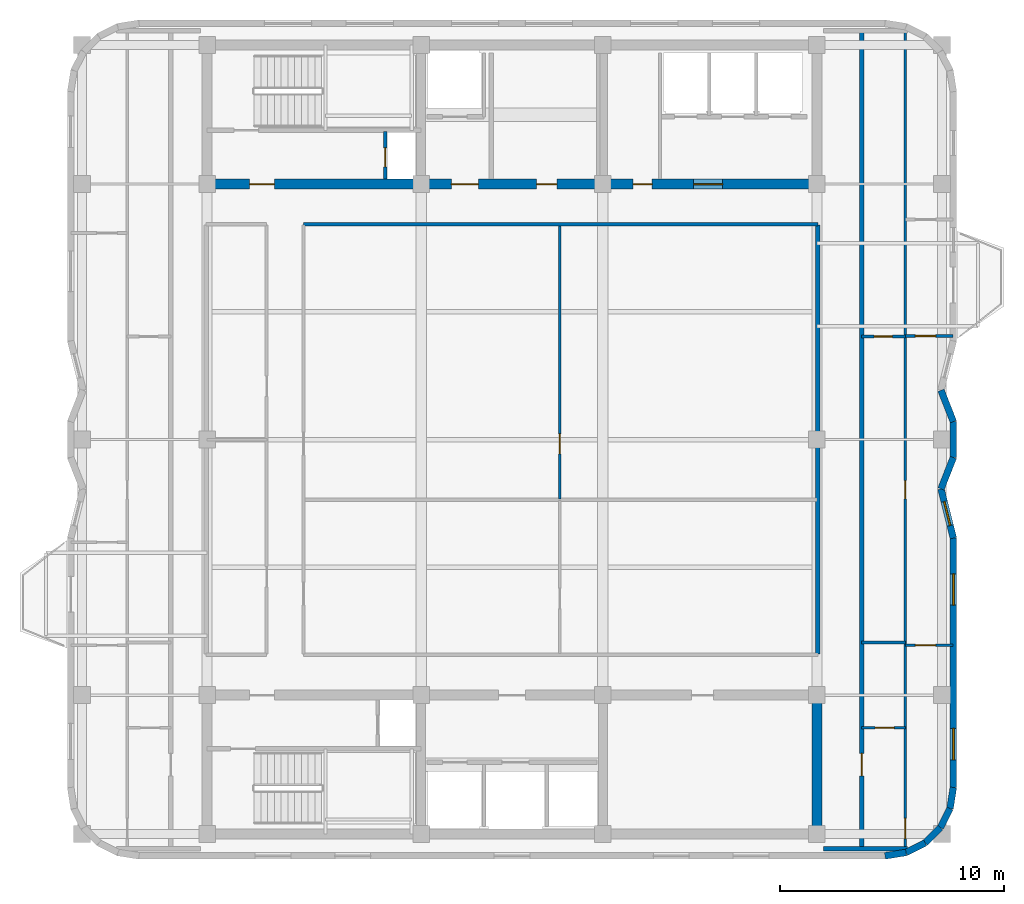
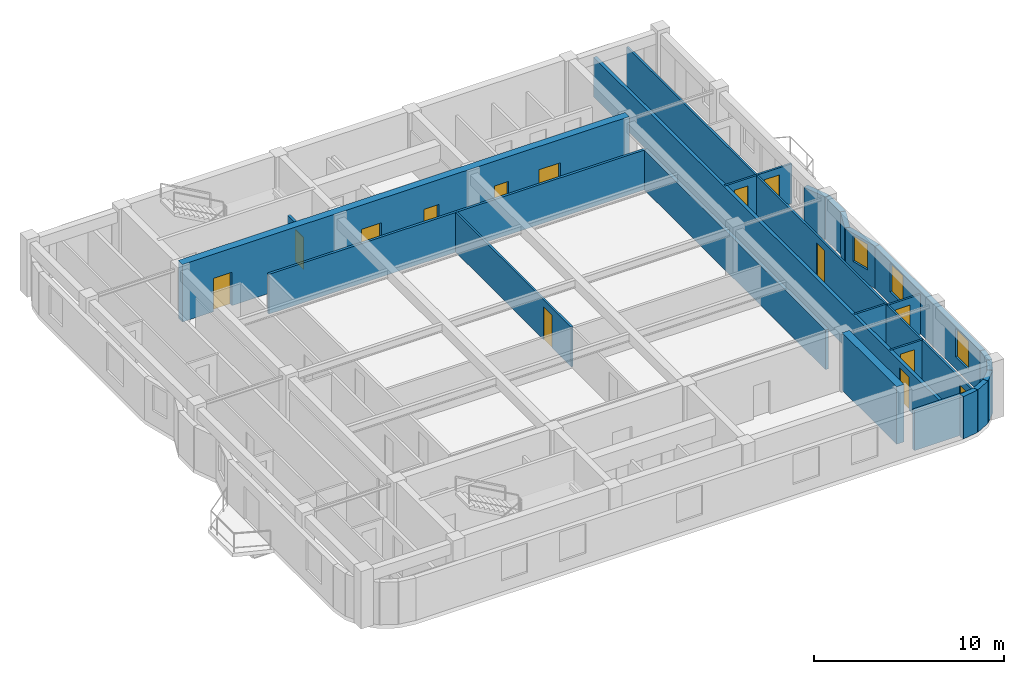
# One storey, part 4 of 8: 24 walls, 14 doors, 3 windows, 17 openings.
"""IFC4 building model written with IfcOpenShell, lengths in metres."""

import ifcopenshell
import ifcopenshell.guid

model = None  # the IFC model being written
_history = None  # IfcOwnerHistory: only IFC2X3 demands one
_inside = {}  # id of a spatial element -> (the spatial element, [elements in it])
_under = {}  # id of a project, library or spatial element -> (it, [spatial elements below it])
_declared = {}  # id of a project -> (the project, [libraries it declares])
_typed = {}  # id of a type object -> (the type object, [elements of that type])
_made_of = {}  # id of a material, layer set ... -> (it, [elements and type objects made of it])


def new_model(schema):
    """Start an empty IFC model of exactly this schema.

    Asked for "IFC4X3", IfcOpenShell would pick the latest addendum, in which some entities
    have other attributes; the version numbers below select the first issue.
    IFC2X3 requires an IfcOwnerHistory on every rooted entity: one is made here for all.
    """
    global model, _history
    if schema == "IFC4X3":
        model = ifcopenshell.file(schema_version=(4, 3, 0, 0))
    else:
        model = ifcopenshell.file(schema=schema)
    _inside.clear()
    _under.clear()
    _declared.clear()
    _typed.clear()
    _made_of.clear()
    _history = None
    if model.schema == "IFC2X3":
        org = make("IfcOrganization", Name="unknown")
        user = make(
            "IfcPersonAndOrganization",
            ThePerson=make("IfcPerson", FamilyName="unknown"),
            TheOrganization=org,
        )
        app = make(
            "IfcApplication",
            ApplicationDeveloper=org,
            Version="unknown",
            ApplicationFullName="unknown",
            ApplicationIdentifier="unknown",
        )
        _history = make(
            "IfcOwnerHistory",
            OwningUser=user,
            OwningApplication=app,
            ChangeAction="ADDED",
            CreationDate=0,
        )
    return model


def make(cls, **values):
    """One entity of the class cls with the attributes given. An attribute that is None is left unset."""
    return model.create_entity(
        cls, **{name: value for name, value in values.items() if value is not None}
    )


def rooted(cls, **values):
    """An entity with a GlobalId (a new one), such as an element, a storey or a relation."""
    return make(cls, GlobalId=ifcopenshell.guid.new(), OwnerHistory=_history, **values)


def si_unit(unit_type, name, prefix=None):
    """IfcSIUnit, for example si_unit("LENGTHUNIT", "METRE", prefix="MILLI")."""
    return make("IfcSIUnit", UnitType=unit_type, Prefix=prefix, Name=name)


def assignment(units):
    """IfcUnitAssignment: the units of a project."""
    return None if units is None else make("IfcUnitAssignment", Units=units)


def point(xyz):
    """IfcCartesianPoint."""
    return None if xyz is None else make("IfcCartesianPoint", Coordinates=xyz)


def direction(xyz):
    """IfcDirection."""
    return None if xyz is None else make("IfcDirection", DirectionRatios=xyz)


def frame(location, z_axis=None, x_axis=None):
    """IfcAxis2Placement3D, a coordinate frame: its origin and axes. An axis left out is left unset."""
    return make(
        "IfcAxis2Placement3D",
        Location=point(location),
        Axis=direction(z_axis),
        RefDirection=direction(x_axis),
    )


def frame_2d(location, x_axis=None):
    """IfcAxis2Placement2D, a coordinate frame in the plane: its origin and x axis."""
    return make(
        "IfcAxis2Placement2D", Location=point(location), RefDirection=direction(x_axis)
    )


def origin():
    """The frame at (0, 0, 0) with its axes left unset."""
    return frame((0.0, 0.0, 0.0))


def place(relative_to, where):
    """IfcLocalPlacement: puts the frame where relative to a parent placement (None: the world)."""
    return make(
        "IfcLocalPlacement", PlacementRelTo=relative_to, RelativePlacement=where
    )


def context(
    kind, dimensions, precision=None, world=None, true_north=None, identifier=None
):
    """IfcGeometricRepresentationContext, for example the 3D "Model" context."""
    return make(
        "IfcGeometricRepresentationContext",
        ContextIdentifier=identifier,
        ContextType=kind,
        CoordinateSpaceDimension=dimensions,
        Precision=precision,
        WorldCoordinateSystem=world,
        TrueNorth=true_north,
    )


def subcontext(parent, identifier, kind, view, scale=None):
    """IfcGeometricRepresentationSubContext, for example "Body" below "Model"."""
    return make(
        "IfcGeometricRepresentationSubContext",
        ContextIdentifier=identifier,
        ContextType=kind,
        ParentContext=parent,
        TargetScale=scale,
        TargetView=view,
    )


def project(units=None, contexts=None):
    """IfcProject with its units and contexts."""
    return rooted(
        "IfcProject",
        Name="project",
        RepresentationContexts=contexts,
        UnitsInContext=assignment(units),
    )


def spatial(cls, under=None, at=None, **own):
    """A site, building, storey or space (cls), placed at a placement, below another one or the project."""
    s = rooted(cls, ObjectPlacement=at, **own)
    if under is not None:
        _under.setdefault(under.id(), (under, []))[1].append(s)
    return s


def profile(cls, at=None, kind="AREA", **sizes):
    """A parametric profile (cls). Its sizes go by their IFC names, for example OverallWidth=200.0."""
    return make(cls, ProfileType=kind, Position=at, **sizes)


def rectangle(**sizes):
    """IfcRectangleProfileDef."""
    return profile("IfcRectangleProfileDef", **sizes)


def extrude(swept, where, along, depth):
    """IfcExtrudedAreaSolid: the profile swept, set in the frame where, extruded along a direction by depth."""
    return make(
        "IfcExtrudedAreaSolid",
        SweptArea=swept,
        Position=where,
        ExtrudedDirection=direction(along),
        Depth=depth,
    )


def shape(context_of_items, identifier, shape_type, items):
    """IfcShapeRepresentation: the items that make up one representation, for example the "Body"."""
    return make(
        "IfcShapeRepresentation",
        ContextOfItems=context_of_items,
        RepresentationIdentifier=identifier,
        RepresentationType=shape_type,
        Items=items,
    )


def material(Name=None, Category=None):
    """IfcMaterial."""
    return make("IfcMaterial", Name=Name, Category=Category)


def layer(
    of_material, thickness, ventilated=None, Name=None, Category=None, Priority=None
):
    """IfcMaterialLayer: one layer of a wall or slab, of a material (None: an air gap)."""
    return make(
        "IfcMaterialLayer",
        Material=of_material,
        LayerThickness=thickness,
        IsVentilated=ventilated,
        Name=Name,
        Category=Category,
        Priority=Priority,
    )


def layer_set(layers, Name=None):
    """IfcMaterialLayerSet."""
    return make("IfcMaterialLayerSet", MaterialLayers=layers, LayerSetName=Name)


def made_of(thing, what):
    """Note that an element or type object is made of a material, layer set ...; save() writes the relation."""
    if what is not None:
        _made_of.setdefault(what.id(), (what, []))[1].append(thing)
    return thing


def type_object(cls, material=None, **own):
    """A type object (cls), such as IfcWallType, which elements share."""
    return made_of(rooted(cls, **own), material)


def element(
    cls,
    number,
    at=None,
    inside=None,
    cuts=None,
    type_object=None,
    material=None,
    context=None,
    identifier="Body",
    shape_type=None,
    held_by="IfcProductDefinitionShape",
    body=None,
    shapes=None,
    **own,
):
    """One element of the class cls, such as IfcWall. Its Tag is "e" and its number.

    at: its placement. inside: the storey or other place that contains it. cuts: it is an
    opening in that element (IfcRelVoidsElement). A single representation is given by context,
    identifier, shape_type and body (its items); several are given by shapes. held_by: the class
    of the entity that holds the representations. save() writes the other relations.
    """
    e = rooted(cls, Tag="e%d" % number, ObjectPlacement=at, **own)
    if body is not None:
        shapes = [shape(context, identifier, shape_type, body)]
    if shapes is not None:
        e.Representation = make(held_by, Representations=shapes)
    if inside is not None:
        _inside.setdefault(inside.id(), (inside, []))[1].append(e)
    if cuts is not None:
        rooted(
            "IfcRelVoidsElement", RelatingBuildingElement=cuts, RelatedOpeningElement=e
        )
    if type_object is not None:
        _typed.setdefault(type_object.id(), (type_object, []))[1].append(e)
    return made_of(e, material)


def fill(opening, filler):
    """IfcRelFillsElement: the door or window that sits in an opening."""
    return rooted(
        "IfcRelFillsElement",
        RelatingOpeningElement=opening,
        RelatedBuildingElement=filler,
    )


def aggregate(whole, parts):
    """IfcRelAggregates: a whole, such as a stair, and the parts it consists of."""
    return rooted("IfcRelAggregates", RelatingObject=whole, RelatedObjects=parts)


def save(model, path):
    """Write the relations noted so far, then the file.

    IfcRelAggregates (storeys below a building ...), IfcRelContainedInSpatialStructure (elements
    in a storey), IfcRelDefinesByType, IfcRelAssociatesMaterial and IfcRelDeclares: one each for
    every whole, place, type object, material and project.
    """
    for whole, parts in _under.values():
        aggregate(whole, parts)
    for where, things in _inside.values():
        rooted(
            "IfcRelContainedInSpatialStructure",
            RelatedElements=things,
            RelatingStructure=where,
        )
    for kind, things in _typed.values():
        rooted("IfcRelDefinesByType", RelatedObjects=things, RelatingType=kind)
    for what, things in _made_of.values():
        rooted("IfcRelAssociatesMaterial", RelatedObjects=things, RelatingMaterial=what)
    for by, libraries in _declared.values():
        rooted("IfcRelDeclares", RelatingContext=by, RelatedDefinitions=libraries)
    model.write(path)


model = new_model("IFC4")

# Units and contexts
model_context = context("Model", 3, precision=1e-05, world=origin(), true_north=direction((0.0, 1.0)))
body_context = subcontext(model_context, "Body", "Model", "MODEL_VIEW")
ifc_project = project(units=[si_unit("LENGTHUNIT", "METRE"), si_unit("AREAUNIT", "SQUARE_METRE"), si_unit("VOLUMEUNIT", "CUBIC_METRE"), si_unit("PLANEANGLEUNIT", "RADIAN"), si_unit("MASSUNIT", "GRAM", prefix="KILO")], contexts=[model_context])

# Site, building, storey
site_placement = place(None, origin())
site = spatial("IfcSite", under=ifc_project, at=site_placement, CompositionType="ELEMENT")
building_placement = place(site_placement, origin())
building = spatial("IfcBuilding", under=site, at=building_placement, Name="Svetorya Sky Lyceum", CompositionType="ELEMENT")
storey_placement = place(building_placement, frame((0.0, 0.0, 263.89990234375)))
storey = spatial("IfcBuildingStorey", under=building, at=storey_placement, Name="L66", CompositionType="ELEMENT", Elevation=263.89990234375)

# Wall
ifc_material_1 = material(Name="Concrete C50/60", Category="concrete")
ifc_layer_1 = layer(ifc_material_1, 0.449951171875)
ifc_layer_set_1 = layer_set([ifc_layer_1], Name="Concrete C50/60")
wall_type_1 = type_object("IfcWallType", Name="WL-CORE-450", PredefinedType="SHEAR", material=ifc_layer_set_1)
wall_1_placement = place(storey_placement, frame((52.800048828125, 10.824951171875, 0.0), z_axis=(0.0, 0.0, 1.0), x_axis=(0.0, 1.0, 0.0)))
element("IfcWall", 1, at=wall_1_placement, inside=storey, type_object=wall_type_1, Name="L66 SC East Core Shear Wall", PredefinedType="SHEAR", context=body_context, shape_type="SweptSolid", body=[
    extrude(rectangle(XDim=5.75, YDim=0.449951171875, at=frame_2d((2.875, 0.0))), origin(), (0.0, 0.0, 1.0), 3.7001953125),
])

# Wall, openings, doors
wall_2_placement = place(storey_placement, frame((52.800048828125, 39.60009765625, 0.0), z_axis=(0.0, 0.0, 1.0), x_axis=(-1.0, 0.0, 0.0)))
wall_2 = element("IfcWall", 2, at=wall_2_placement, inside=storey, type_object=wall_type_1, Name="L66 NC Inner Core Shear Wall", PredefinedType="SHEAR", context=body_context, shape_type="SweptSolid", body=[
    extrude(rectangle(XDim=27.199951171875, YDim=0.449951171875, at=frame_2d((13.60009765625, 0.0))), origin(), (0.0, 0.0, 1.0), 3.7001953125),
])
opening_1_placement = place(wall_2_placement, frame((24.199951171875, 0.0, 0.0)))
opening_1 = element("IfcOpeningElement", 3, at=opening_1_placement, cuts=wall_2, Name="Opening D-ST1", PredefinedType="OPENING", context=body_context, shape_type="SweptSolid", body=[
    extrude(rectangle(XDim=1.10009765625, YDim=2.14990234375, at=frame_2d((0.550048828125, 1.074951171875))), frame((0.0, 0.23486328125, 0.0), z_axis=(0.0, -1.0, 0.0), x_axis=(1.0, 0.0, 0.0)), (0.0, 0.0, 1.0), 0.469970703125),
])
opening_2_placement = place(wall_2_placement, frame((15.10009765625, 0.0, 0.0)))
opening_2 = element("IfcOpeningElement", 4, at=opening_2_placement, cuts=wall_2, Name="Opening D-FL1", PredefinedType="OPENING", context=body_context, shape_type="SweptSolid", body=[
    extrude(rectangle(XDim=1.199951171875, YDim=2.14990234375, at=frame_2d((0.60009765625, 1.074951171875))), frame((0.0, 0.23486328125, 0.0), z_axis=(0.0, -1.0, 0.0), x_axis=(1.0, 0.0, 0.0)), (0.0, 0.0, 1.0), 0.469970703125),
])
opening_3_placement = place(wall_2_placement, frame((11.60009765625, 0.0, 0.0)))
opening_3 = element("IfcOpeningElement", 5, at=opening_3_placement, cuts=wall_2, Name="Opening D-RM1", PredefinedType="OPENING", context=body_context, shape_type="SweptSolid", body=[
    extrude(rectangle(XDim=0.89990234375, YDim=2.10009765625, at=frame_2d((0.449951171875, 1.050048828125))), frame((0.0, 0.23486328125, 0.0), z_axis=(0.0, -1.0, 0.0), x_axis=(1.0, 0.0, 0.0)), (0.0, 0.0, 1.0), 0.469970703125),
])
opening_4_placement = place(wall_2_placement, frame((7.35009765625, 0.0, 0.0)))
opening_4 = element("IfcOpeningElement", 6, at=opening_4_placement, cuts=wall_2, Name="Opening D-CWC1", PredefinedType="OPENING", context=body_context, shape_type="SweptSolid", body=[
    extrude(rectangle(XDim=0.85009765625, YDim=2.10009765625, at=frame_2d((0.425048828125, 1.050048828125))), frame((0.0, 0.23486328125, 0.0), z_axis=(0.0, -1.0, 0.0), x_axis=(1.0, 0.0, 0.0)), (0.0, 0.0, 1.0), 0.469970703125),
])
opening_5_placement = place(wall_2_placement, frame((4.199951171875, 0.0, 0.0)))
opening_5 = element("IfcOpeningElement", 7, at=opening_5_placement, cuts=wall_2, Name="Opening D-LB1", PredefinedType="OPENING", context=body_context, shape_type="SweptSolid", body=[
    extrude(rectangle(XDim=1.300048828125, YDim=2.199951171875, at=frame_2d((0.64990234375, 1.10009765625))), frame((0.0, 0.23486328125, 0.0), z_axis=(0.0, -1.0, 0.0), x_axis=(1.0, 0.0, 0.0)), (0.0, 0.0, 1.0), 0.469970703125),
])
ifc_material_2 = material(Name="Fire-rated galvanized steel core service closet door", Category="steel")
door_type_1 = type_object("IfcDoorType", Name="DR-CWET-850", OperationType="SINGLE_SWING_LEFT", PredefinedType="DOOR", material=ifc_material_2)
door_1_placement = place(opening_4_placement, origin())
door_1 = element("IfcDoor", 8, at=door_1_placement, inside=storey, type_object=door_type_1, Name="L66 High-Zone Utility Room Door", OperationType="SINGLE_SWING_LEFT", OverallHeight=2.10009765625, OverallWidth=0.85009765625, PredefinedType="DOOR", context=body_context, shape_type="SweptSolid", body=[
    extrude(rectangle(XDim=0.85009765625, YDim=2.10009765625, at=frame_2d((0.425048828125, 1.050048828125))), frame((0.0, 0.02490234375, 0.0), z_axis=(0.0, -1.0, 0.0), x_axis=(1.0, 0.0, 0.0)), (0.0, 0.0, 1.0), 0.050048828125),
])
fill(opening_4, door_1)
ifc_material_3 = material(Name="Powder-coated insulated galvanized stair fire door")
door_type_2 = type_object("IfcDoorType", Name="DR-FIRE-1100", OperationType="SINGLE_SWING_LEFT", PredefinedType="DOOR", material=ifc_material_3)
door_2_placement = place(opening_1_placement, origin())
door_2 = element("IfcDoor", 9, at=door_2_placement, inside=storey, type_object=door_type_2, Name="L66 North Stair Airlock Door", OperationType="SINGLE_SWING_LEFT", OverallHeight=2.14990234375, OverallWidth=1.10009765625, PredefinedType="DOOR", context=body_context, shape_type="SweptSolid", body=[
    extrude(rectangle(XDim=1.10009765625, YDim=2.14990234375, at=frame_2d((0.550048828125, 1.074951171875))), frame((0.0, 0.02490234375, 0.0), z_axis=(0.0, -1.0, 0.0), x_axis=(1.0, 0.0, 0.0)), (0.0, 0.0, 1.0), 0.050048828125),
])
fill(opening_1, door_2)
ifc_material_4 = material(Name="Powder-coated insulated galvanized fire door")
door_type_3 = type_object("IfcDoorType", Name="DR-FIRE-1200", OperationType="SINGLE_SWING_LEFT", PredefinedType="DOOR", material=ifc_material_4)
door_3_placement = place(opening_2_placement, origin())
door_3 = element("IfcDoor", 10, at=door_3_placement, inside=storey, type_object=door_type_3, Name="L66 North Firefighting Lift Lobby Door", OperationType="SINGLE_SWING_RIGHT", OverallHeight=2.14990234375, OverallWidth=1.199951171875, PredefinedType="DOOR", context=body_context, shape_type="SweptSolid", body=[
    extrude(rectangle(XDim=1.199951171875, YDim=2.14990234375, at=frame_2d((0.60009765625, 1.074951171875))), frame((0.0, 0.02490234375, 0.0), z_axis=(0.0, -1.0, 0.0), x_axis=(1.0, 0.0, 0.0)), (0.0, 0.0, 1.0), 0.050048828125),
])
fill(opening_2, door_3)
ifc_material_5 = material(Name="Lacquered birch veneer internal door")
door_type_4 = type_object("IfcDoorType", Name="DR-INT-900", OperationType="SINGLE_SWING_LEFT", PredefinedType="DOOR", material=ifc_material_5)
door_4_placement = place(opening_3_placement, origin())
door_4 = element("IfcDoor", 11, at=door_4_placement, inside=storey, type_object=door_type_4, Name="L66 Upper Archive Door", OperationType="SINGLE_SWING_LEFT", OverallHeight=2.10009765625, OverallWidth=0.89990234375, PredefinedType="DOOR", context=body_context, shape_type="SweptSolid", body=[
    extrude(rectangle(XDim=0.89990234375, YDim=2.10009765625, at=frame_2d((0.449951171875, 1.050048828125))), frame((0.0, 0.02490234375, 0.0), z_axis=(0.0, -1.0, 0.0), x_axis=(1.0, 0.0, 0.0)), (0.0, 0.0, 1.0), 0.050048828125),
])
fill(opening_3, door_4)
ifc_material_6 = material(Name="Glazed fire-rated aluminium lobby door", Category="aluminium")
door_type_5 = type_object("IfcDoorType", Name="DR-LOB-1300", OperationType="SINGLE_SWING_LEFT", PredefinedType="DOOR", material=ifc_material_6)
door_5_placement = place(opening_5_placement, origin())
door_5 = element("IfcDoor", 12, at=door_5_placement, inside=storey, type_object=door_type_5, Name="L66 North Passenger Lift Lobby Door", OperationType="SINGLE_SWING_LEFT", OverallHeight=2.199951171875, OverallWidth=1.300048828125, PredefinedType="DOOR", context=body_context, shape_type="SweptSolid", body=[
    extrude(rectangle(XDim=1.300048828125, YDim=2.199951171875, at=frame_2d((0.64990234375, 1.10009765625))), frame((0.0, 0.02490234375, 0.0), z_axis=(0.0, -1.0, 0.0), x_axis=(1.0, 0.0, 0.0)), (0.0, 0.0, 1.0), 0.050048828125),
])
fill(opening_5, door_5)

# Walls
ifc_material_7 = material(Name="Putilovo limestone rainscreen on autoclaved cellular masonry", Category="masonry")
ifc_layer_2 = layer(ifc_material_7, 0.300048828125)
ifc_layer_set_2 = layer_set([ifc_layer_2], Name="Putilovo limestone rainscreen on autoclaved cellular masonry")
wall_type_2 = type_object("IfcWallType", Name="WL-EXT-300", PredefinedType="SOLIDWALL", material=ifc_layer_set_2)
wall_3_placement = place(storey_placement, frame((55.840087890625, 9.6298828125, 0.0), z_axis=(0.0, 0.0, 1.0), x_axis=(0.987663181641, 0.156593229835, 0.0)))
element("IfcWall", 13, at=wall_3_placement, inside=storey, type_object=wall_type_2, Name="L66 Limestone Exterior Wall 7M", PredefinedType="SOLIDWALL", context=body_context, shape_type="SweptSolid", body=[
    extrude(rectangle(XDim=0.9541015625, YDim=0.300048828125, at=frame_2d((0.47705078125, 0.0))), origin(), (0.0, 0.0, 1.0), 2.72998046875),
])
for number, where, z_axis, x_axis, name in (
    (14, (56.782470703125, 9.779296875, 0.0), (0.0, 0.0, 1.0), (0.891076589373, 0.453852962833, 0.0), "L66 Limestone Exterior Wall 8M"),
    (15, (57.6328125, 10.21240234375, 0.0), (0.0, 0.0, 1.0), (0.707106781187, 0.707106781187, 0.0), "L66 Limestone Exterior Wall 9M"),
    (16, (58.3076171875, 10.88720703125, 0.0), (0.0, 0.0, 1.0), (0.453852962833, 0.891076589373, 0.0), "L66 Limestone Exterior Wall 10M"),
):
    element("IfcWall", number, at=place(storey_placement, frame(where, z_axis=z_axis, x_axis=x_axis)), inside=storey, type_object=wall_type_2, Name=name, PredefinedType="SOLIDWALL", context=body_context, shape_type="SweptSolid", body=[
        extrude(rectangle(XDim=0.954345703125, YDim=0.300048828125, at=frame_2d((0.47705078125, 0.0))), origin(), (0.0, 0.0, 1.0), 2.72998046875),
    ])
wall_4_placement = place(storey_placement, frame((58.74072265625, 11.737548828125, 0.0), z_axis=(0.0, 0.0, 1.0), x_axis=(0.156343617883, 0.987702725088, 0.0)))
element("IfcWall", 17, at=wall_4_placement, inside=storey, type_object=wall_type_2, Name="L66 Limestone Exterior Wall 11M", PredefinedType="SOLIDWALL", context=body_context, shape_type="SweptSolid", body=[
    extrude(rectangle(XDim=0.9541015625, YDim=0.300048828125, at=frame_2d((0.47705078125, 0.0))), origin(), (0.0, 0.0, 1.0), 2.72998046875),
])

# Wall, openings, windows
wall_5_placement = place(storey_placement, frame((58.889892578125, 12.679931640625, 0.0), z_axis=(0.0, 0.0, 1.0), x_axis=(0.0, 1.0, 0.0)))
wall_5 = element("IfcWall", 18, at=wall_5_placement, inside=storey, type_object=wall_type_2, Name="L66 Limestone Exterior Wall 12M", PredefinedType="SOLIDWALL", context=body_context, shape_type="SweptSolid", body=[
    extrude(rectangle(XDim=11.1201171875, YDim=0.300048828125, at=frame_2d((5.56005859375, 0.0))), origin(), (0.0, 0.0, 1.0), 2.72998046875),
])
opening_6_placement = place(wall_5_placement, frame((1.23681640625, 0.0, 0.760009765625)))
opening_6 = element("IfcOpeningElement", 19, at=opening_6_placement, cuts=wall_5, Name="Opening W-R2", PredefinedType="OPENING", context=body_context, shape_type="SweptSolid", body=[
    extrude(rectangle(XDim=1.39990234375, YDim=1.85009765625, at=frame_2d((0.699951171875, 0.925048828125))), frame((0.0, 0.159912109375, 0.0), z_axis=(0.0, -1.0, 0.0), x_axis=(1.0, 0.0, 0.0)), (0.0, 0.0, 1.0), 0.320068359375),
])
opening_7_placement = place(wall_5_placement, frame((8.13330078125, 0.0, 0.760009765625)))
opening_7 = element("IfcOpeningElement", 20, at=opening_7_placement, cuts=wall_5, Name="Opening W-R2", PredefinedType="OPENING", context=body_context, shape_type="SweptSolid", body=[
    extrude(rectangle(XDim=1.39990234375, YDim=1.85009765625, at=frame_2d((0.699951171875, 0.925048828125))), frame((0.0, 0.159912109375, 0.0), z_axis=(0.0, -1.0, 0.0), x_axis=(1.0, 0.0, 0.0)), (0.0, 0.0, 1.0), 0.320068359375),
])
ifc_material_8 = material(Name="Thermally broken aluminium frame with triple low-E glazing", Category="aluminium")
window_type_1 = type_object("IfcWindowType", Name="WN-RES-140", PartitioningType="SINGLE_PANEL", PredefinedType="WINDOW", material=ifc_material_8)
window_1_placement = place(opening_6_placement, origin())
window_1 = element("IfcWindow", 21, at=window_1_placement, inside=storey, type_object=window_type_1, Name="L66 Facade Window W-R2.12M.1", OverallHeight=1.85009765625, OverallWidth=1.39990234375, PartitioningType="SINGLE_PANEL", PredefinedType="WINDOW", context=body_context, shape_type="SweptSolid", body=[
    extrude(rectangle(XDim=1.39990234375, YDim=1.85009765625, at=frame_2d((0.699951171875, 0.925048828125))), frame((0.0, 0.030029296875, 0.0), z_axis=(0.0, -1.0, 0.0), x_axis=(1.0, 0.0, 0.0)), (0.0, 0.0, 1.0), 0.06005859375),
])
fill(opening_6, window_1)
window_2_placement = place(opening_7_placement, origin())
window_2 = element("IfcWindow", 22, at=window_2_placement, inside=storey, type_object=window_type_1, Name="L66 Facade Window W-R2.12M.2", OverallHeight=1.85009765625, OverallWidth=1.39990234375, PartitioningType="SINGLE_PANEL", PredefinedType="WINDOW", context=body_context, shape_type="SweptSolid", body=[
    extrude(rectangle(XDim=1.39990234375, YDim=1.85009765625, at=frame_2d((0.699951171875, 0.925048828125))), frame((0.0, 0.030029296875, 0.0), z_axis=(0.0, -1.0, 0.0), x_axis=(1.0, 0.0, 0.0)), (0.0, 0.0, 1.0), 0.06005859375),
])
fill(opening_7, window_2)

# Wall, opening, window
wall_6_placement = place(storey_placement, frame((58.889892578125, 23.800048828125, 0.0), z_axis=(0.0, 0.0, 1.0), x_axis=(-0.242459626081, 0.970161496721, 0.0)))
wall_6 = element("IfcWall", 23, at=wall_6_placement, inside=storey, type_object=wall_type_2, Name="L66 Limestone Exterior Wall 13M", PredefinedType="SOLIDWALL", context=body_context, shape_type="SweptSolid", body=[
    extrude(rectangle(XDim=2.267578125, YDim=0.300048828125, at=frame_2d((1.1337890625, 0.0))), origin(), (0.0, 0.0, 1.0), 2.72998046875),
])
opening_8_placement = place(wall_6_placement, frame((0.583984375, 0.0, 0.919921875)))
opening_8 = element("IfcOpeningElement", 24, at=opening_8_placement, cuts=wall_6, Name="Opening W-R3", PredefinedType="OPENING", context=body_context, shape_type="SweptSolid", body=[
    extrude(rectangle(XDim=1.10009765625, YDim=1.64990234375, at=frame_2d((0.550048828125, 0.824951171875))), frame((0.0, 0.159912109375, 0.0), z_axis=(0.0, -1.0, 0.0), x_axis=(1.0, 0.0, 0.0)), (0.0, 0.0, 1.0), 0.320068359375),
])
window_type_2 = type_object("IfcWindowType", Name="WN-RES-110", PartitioningType="SINGLE_PANEL", PredefinedType="WINDOW", material=ifc_material_8)
window_3_placement = place(opening_8_placement, origin())
window_3 = element("IfcWindow", 25, at=window_3_placement, inside=storey, type_object=window_type_2, Name="L66 Facade Window W-R3.13M.1", OverallHeight=1.64990234375, OverallWidth=1.10009765625, PartitioningType="SINGLE_PANEL", PredefinedType="WINDOW", context=body_context, shape_type="SweptSolid", body=[
    extrude(rectangle(XDim=1.10009765625, YDim=1.64990234375, at=frame_2d((0.550048828125, 0.824951171875))), frame((0.0, 0.030029296875, 0.0), z_axis=(0.0, -1.0, 0.0), x_axis=(1.0, 0.0, 0.0)), (0.0, 0.0, 1.0), 0.06005859375),
])
fill(opening_8, window_3)

# Walls
wall_7_placement = place(storey_placement, frame((58.340087890625, 26.0, 0.0), z_axis=(0.0, 0.0, 1.0), x_axis=(0.365561969418, 0.930787003839, 0.0)))
element("IfcWall", 26, at=wall_7_placement, inside=storey, type_object=wall_type_2, Name="L66 Limestone Exterior Wall 14M", PredefinedType="SOLIDWALL", context=body_context, shape_type="SweptSolid", body=[
    extrude(rectangle(XDim=1.50390625, YDim=0.300048828125, at=frame_2d((0.751953125, 0.0))), origin(), (0.0, 0.0, 1.0), 2.72998046875),
])
wall_8_placement = place(storey_placement, frame((58.889892578125, 27.39990234375, 0.0), z_axis=(0.0, 0.0, 1.0), x_axis=(0.0, 1.0, 0.0)))
element("IfcWall", 27, at=wall_8_placement, inside=storey, type_object=wall_type_2, Name="L66 Limestone Exterior Wall 15M", PredefinedType="SOLIDWALL", context=body_context, shape_type="SweptSolid", body=[
    extrude(rectangle(XDim=1.60009765625, YDim=0.300048828125, at=frame_2d((0.800048828125, 0.0))), origin(), (0.0, 0.0, 1.0), 2.72998046875),
])
wall_9_placement = place(storey_placement, frame((58.889892578125, 29.0, 0.0), z_axis=(0.0, 0.0, 1.0), x_axis=(-0.365561969418, 0.930787003839, 0.0)))
element("IfcWall", 28, at=wall_9_placement, inside=storey, type_object=wall_type_2, Name="L66 Limestone Exterior Wall 16M", PredefinedType="SOLIDWALL", context=body_context, shape_type="SweptSolid", body=[
    extrude(rectangle(XDim=1.50390625, YDim=0.300048828125, at=frame_2d((0.751953125, 0.0))), origin(), (0.0, 0.0, 1.0), 2.72998046875),
])

# Wall, opening, door
ifc_material_9 = material(Name="Twin-stud galvanized framing with double fireboard", Category="gypsum")
ifc_layer_3 = layer(ifc_material_9, 0.1201171875)
ifc_layer_set_3 = layer_set([ifc_layer_3], Name="Twin-stud galvanized framing with double fireboard")
wall_type_3 = type_object("IfcWallType", Name="WL-PART-120", PredefinedType="PARTITIONING", material=ifc_layer_set_3)
wall_10_placement = place(storey_placement, frame((41.3349609375, 25.560302734375, 0.0), z_axis=(0.0, 0.0, 1.0), x_axis=(0.0, 1.0, 0.0)))
wall_10 = element("IfcWall", 29, at=wall_10_placement, inside=storey, type_object=wall_type_3, Name="L66 Interior Partition OFF-VEM2", PredefinedType="PARTITIONING", context=body_context, shape_type="SweptSolid", body=[
    extrude(rectangle(XDim=12.1796875, YDim=0.1201171875, at=frame_2d((6.08984375, 0.0))), origin(), (0.0, 0.0, 1.0), 2.56005859375),
])
opening_9_placement = place(wall_10_placement, frame((2.0, 0.0, 0.0)))
opening_9 = element("IfcOpeningElement", 30, at=opening_9_placement, cuts=wall_10, Name="Opening D-RM1", PredefinedType="OPENING", context=body_context, shape_type="SweptSolid", body=[
    extrude(rectangle(XDim=0.89990234375, YDim=2.10009765625, at=frame_2d((0.449951171875, 1.050048828125))), frame((0.0, 0.070068359375, 0.0), z_axis=(0.0, -1.0, 0.0), x_axis=(1.0, 0.0, 0.0)), (0.0, 0.0, 1.0), 0.14013671875),
])
door_6_placement = place(opening_9_placement, origin())
door_6 = element("IfcDoor", 31, at=door_6_placement, inside=storey, type_object=door_type_4, Name="L66 East Focus Door", OperationType="SINGLE_SWING_RIGHT", OverallHeight=2.10009765625, OverallWidth=0.89990234375, PredefinedType="DOOR", context=body_context, shape_type="SweptSolid", body=[
    extrude(rectangle(XDim=0.89990234375, YDim=2.10009765625, at=frame_2d((0.449951171875, 1.050048828125))), frame((0.0, 0.02490234375, 0.0), z_axis=(0.0, -1.0, 0.0), x_axis=(1.0, 0.0, 0.0)), (0.0, 0.0, 1.0), 0.050048828125),
])
fill(opening_9, door_6)

wall_11_placement = place(storey_placement, frame((54.800048828125, 15.35009765625, 0.0), z_axis=(0.0, 0.0, 1.0), x_axis=(1.0, 0.0, 0.0)))
wall_11 = element("IfcWall", 32, at=wall_11_placement, inside=storey, type_object=wall_type_3, Name="L66 Interior Partition E1-WH1", PredefinedType="PARTITIONING", context=body_context, shape_type="SweptSolid", body=[
    extrude(rectangle(XDim=1.949951171875, YDim=0.1201171875, at=frame_2d((0.97509765625, 0.0))), origin(), (0.0, 0.0, 1.0), 2.56005859375),
])
opening_10_placement = place(wall_11_placement, frame((0.60009765625, 0.0, 0.0)))
opening_10 = element("IfcOpeningElement", 33, at=opening_10_placement, cuts=wall_11, Name="Opening D-BT1", PredefinedType="OPENING", context=body_context, shape_type="SweptSolid", body=[
    extrude(rectangle(XDim=0.85009765625, YDim=2.10009765625, at=frame_2d((0.425048828125, 1.050048828125))), frame((0.0, 0.070068359375, 0.0), z_axis=(0.0, -1.0, 0.0), x_axis=(1.0, 0.0, 0.0)), (0.0, 0.0, 1.0), 0.14013671875),
])
ifc_material_10 = material(Name="Moisture-resistant laminate bathroom door")
door_type_6 = type_object("IfcDoorType", Name="DR-WET-850", OperationType="SINGLE_SWING_LEFT", PredefinedType="DOOR", material=ifc_material_10)
door_7_placement = place(opening_10_placement, origin())
door_7 = element("IfcDoor", 34, at=door_7_placement, inside=storey, type_object=door_type_6, Name="Apartment E1 Bathroom Door", OperationType="SINGLE_SWING_RIGHT", OverallHeight=2.10009765625, OverallWidth=0.85009765625, PredefinedType="DOOR", context=body_context, shape_type="SweptSolid", body=[
    extrude(rectangle(XDim=0.85009765625, YDim=2.10009765625, at=frame_2d((0.425048828125, 1.050048828125))), frame((0.0, 0.02490234375, 0.0), z_axis=(0.0, -1.0, 0.0), x_axis=(1.0, 0.0, 0.0)), (0.0, 0.0, 1.0), 0.050048828125),
])
fill(opening_10, door_7)

# Wall
wall_12_placement = place(storey_placement, frame((54.800048828125, 19.14990234375, 0.0), z_axis=(0.0, 0.0, 1.0), x_axis=(1.0, 0.0, 0.0)))
element("IfcWall", 35, at=wall_12_placement, inside=storey, type_object=wall_type_3, Name="L66 Interior Partition E1-WH2", PredefinedType="PARTITIONING", context=body_context, shape_type="SweptSolid", body=[
    extrude(rectangle(XDim=1.949951171875, YDim=0.1201171875, at=frame_2d((0.97509765625, 0.0))), origin(), (0.0, 0.0, 1.0), 2.56005859375),
])

# Wall, opening, door
wall_13_placement = place(storey_placement, frame((54.800048828125, 32.800048828125, 0.0), z_axis=(0.0, 0.0, 1.0), x_axis=(1.0, 0.0, 0.0)))
wall_13 = element("IfcWall", 36, at=wall_13_placement, inside=storey, type_object=wall_type_3, Name="L66 Interior Partition E1-WH3", PredefinedType="PARTITIONING", context=body_context, shape_type="SweptSolid", body=[
    extrude(rectangle(XDim=1.949951171875, YDim=0.1201171875, at=frame_2d((0.97509765625, 0.0))), origin(), (0.0, 0.0, 1.0), 2.56005859375),
])
opening_11_placement = place(wall_13_placement, frame((0.550048828125, 0.0, 0.0)))
opening_11 = element("IfcOpeningElement", 37, at=opening_11_placement, cuts=wall_13, Name="Opening D-BT2", PredefinedType="OPENING", context=body_context, shape_type="SweptSolid", body=[
    extrude(rectangle(XDim=0.820068359375, YDim=2.080078125, at=frame_2d((0.41015625, 1.0400390625))), frame((0.0, 0.070068359375, 0.0), z_axis=(0.0, -1.0, 0.0), x_axis=(1.0, 0.0, 0.0)), (0.0, 0.0, 1.0), 0.14013671875),
])
ifc_material_11 = material(Name="Compact moisture-resistant laminate closet door")
door_type_7 = type_object("IfcDoorType", Name="DR-WET-820", OperationType="SINGLE_SWING_LEFT", PredefinedType="DOOR", material=ifc_material_11)
door_8_placement = place(opening_11_placement, origin())
door_8 = element("IfcDoor", 38, at=door_8_placement, inside=storey, type_object=door_type_7, Name="Apartment E1 Laundry Door", OperationType="SINGLE_SWING_LEFT", OverallHeight=2.080078125, OverallWidth=0.820068359375, PredefinedType="DOOR", context=body_context, shape_type="SweptSolid", body=[
    extrude(rectangle(XDim=0.820068359375, YDim=2.080078125, at=frame_2d((0.41015625, 1.0400390625))), frame((0.0, 0.02490234375, 0.0), z_axis=(0.0, -1.0, 0.0), x_axis=(1.0, 0.0, 0.0)), (0.0, 0.0, 1.0), 0.050048828125),
])
fill(opening_11, door_8)

wall_14_placement = place(storey_placement, frame((56.75, 19.02001953125, 0.0), z_axis=(0.0, 0.0, 1.0), x_axis=(1.0, 0.0, 0.0)))
wall_14 = element("IfcWall", 39, at=wall_14_placement, inside=storey, type_object=wall_type_3, Name="L66 Interior Partition E1-WL1", PredefinedType="PARTITIONING", context=body_context, shape_type="SweptSolid", body=[
    extrude(rectangle(XDim=2.1201171875, YDim=0.1201171875, at=frame_2d((1.06005859375, 0.0))), origin(), (0.0, 0.0, 1.0), 2.56005859375),
])
opening_12_placement = place(wall_14_placement, frame((0.449951171875, 0.0, 0.0)))
opening_12 = element("IfcOpeningElement", 40, at=opening_12_placement, cuts=wall_14, Name="Opening D-RM1", PredefinedType="OPENING", context=body_context, shape_type="SweptSolid", body=[
    extrude(rectangle(XDim=0.89990234375, YDim=2.10009765625, at=frame_2d((0.449951171875, 1.050048828125))), frame((0.0, 0.070068359375, 0.0), z_axis=(0.0, -1.0, 0.0), x_axis=(1.0, 0.0, 0.0)), (0.0, 0.0, 1.0), 0.14013671875),
])
door_9_placement = place(opening_12_placement, origin())
door_9 = element("IfcDoor", 41, at=door_9_placement, inside=storey, type_object=door_type_4, Name="Apartment E1 Master Bedroom Door", OperationType="SINGLE_SWING_RIGHT", OverallHeight=2.10009765625, OverallWidth=0.89990234375, PredefinedType="DOOR", context=body_context, shape_type="SweptSolid", body=[
    extrude(rectangle(XDim=0.89990234375, YDim=2.10009765625, at=frame_2d((0.449951171875, 1.050048828125))), frame((0.0, 0.02490234375, 0.0), z_axis=(0.0, -1.0, 0.0), x_axis=(1.0, 0.0, 0.0)), (0.0, 0.0, 1.0), 0.050048828125),
])
fill(opening_12, door_9)

wall_15_placement = place(storey_placement, frame((56.75, 32.820068359375, 0.0), z_axis=(0.0, 0.0, 1.0), x_axis=(1.0, 0.0, 0.0)))
wall_15 = element("IfcWall", 42, at=wall_15_placement, inside=storey, type_object=wall_type_3, Name="L66 Interior Partition E1-WL2", PredefinedType="PARTITIONING", context=body_context, shape_type="SweptSolid", body=[
    extrude(rectangle(XDim=2.1201171875, YDim=0.1201171875, at=frame_2d((1.06005859375, 0.0))), origin(), (0.0, 0.0, 1.0), 2.56005859375),
])
opening_13_placement = place(wall_15_placement, frame((0.449951171875, 0.0, 0.0)))
opening_13 = element("IfcOpeningElement", 43, at=opening_13_placement, cuts=wall_15, Name="Opening D-RM1", PredefinedType="OPENING", context=body_context, shape_type="SweptSolid", body=[
    extrude(rectangle(XDim=0.89990234375, YDim=2.10009765625, at=frame_2d((0.449951171875, 1.050048828125))), frame((0.0, 0.070068359375, 0.0), z_axis=(0.0, -1.0, 0.0), x_axis=(1.0, 0.0, 0.0)), (0.0, 0.0, 1.0), 0.14013671875),
])
door_10_placement = place(opening_13_placement, origin())
door_10 = element("IfcDoor", 44, at=door_10_placement, inside=storey, type_object=door_type_4, Name="Apartment E1 Bedroom 2 Door", OperationType="SINGLE_SWING_LEFT", OverallHeight=2.10009765625, OverallWidth=0.89990234375, PredefinedType="DOOR", context=body_context, shape_type="SweptSolid", body=[
    extrude(rectangle(XDim=0.89990234375, YDim=2.10009765625, at=frame_2d((0.449951171875, 1.050048828125))), frame((0.0, 0.02490234375, 0.0), z_axis=(0.0, -1.0, 0.0), x_axis=(1.0, 0.0, 0.0)), (0.0, 0.0, 1.0), 0.050048828125),
])
fill(opening_13, door_10)

# Wall, openings, doors
wall_16_placement = place(storey_placement, frame((56.75, 9.989990234375, 0.0), z_axis=(0.0, 0.0, 1.0), x_axis=(0.0, 1.0, 0.0)))
wall_16 = element("IfcWall", 45, at=wall_16_placement, inside=storey, type_object=wall_type_3, Name="L66 Interior Partition E1-WV", PredefinedType="PARTITIONING", context=body_context, shape_type="SweptSolid", body=[
    extrude(rectangle(XDim=36.419921875, YDim=0.1201171875, at=frame_2d((18.2099609375, 0.0))), origin(), (0.0, 0.0, 1.0), 2.56005859375),
])
opening_14_placement = place(wall_16_placement, frame((0.409912109375, 0.0, 0.0)))
opening_14 = element("IfcOpeningElement", 46, at=opening_14_placement, cuts=wall_16, Name="Opening D-RM1", PredefinedType="OPENING", context=body_context, shape_type="SweptSolid", body=[
    extrude(rectangle(XDim=0.89990234375, YDim=2.10009765625, at=frame_2d((0.449951171875, 1.050048828125))), frame((0.0, 0.070068359375, 0.0), z_axis=(0.0, -1.0, 0.0), x_axis=(1.0, 0.0, 0.0)), (0.0, 0.0, 1.0), 0.14013671875),
])
opening_15_placement = place(wall_16_placement, frame((15.56005859375, 0.0, 0.0)))
opening_15 = element("IfcOpeningElement", 47, at=opening_15_placement, cuts=wall_16, Name="Opening D-BT2", PredefinedType="OPENING", context=body_context, shape_type="SweptSolid", body=[
    extrude(rectangle(XDim=0.820068359375, YDim=2.080078125, at=frame_2d((0.41015625, 1.0400390625))), frame((0.0, 0.070068359375, 0.0), z_axis=(0.0, -1.0, 0.0), x_axis=(1.0, 0.0, 0.0)), (0.0, 0.0, 1.0), 0.14013671875),
])
door_11_placement = place(opening_14_placement, origin())
door_11 = element("IfcDoor", 48, at=door_11_placement, inside=storey, type_object=door_type_4, Name="Apartment E1 Living Door", OperationType="SINGLE_SWING_LEFT", OverallHeight=2.10009765625, OverallWidth=0.89990234375, PredefinedType="DOOR", context=body_context, shape_type="SweptSolid", body=[
    extrude(rectangle(XDim=0.89990234375, YDim=2.10009765625, at=frame_2d((0.449951171875, 1.050048828125))), frame((0.0, 0.02490234375, 0.0), z_axis=(0.0, -1.0, 0.0), x_axis=(1.0, 0.0, 0.0)), (0.0, 0.0, 1.0), 0.050048828125),
])
fill(opening_14, door_11)
door_12_placement = place(opening_15_placement, origin())
door_12 = element("IfcDoor", 49, at=door_12_placement, inside=storey, type_object=door_type_7, Name="Apartment E1 Study Door", OperationType="SINGLE_SWING_RIGHT", OverallHeight=2.080078125, OverallWidth=0.820068359375, PredefinedType="DOOR", context=body_context, shape_type="SweptSolid", body=[
    extrude(rectangle(XDim=0.820068359375, YDim=2.080078125, at=frame_2d((0.41015625, 1.0400390625))), frame((0.0, 0.02490234375, 0.0), z_axis=(0.0, -1.0, 0.0), x_axis=(1.0, 0.0, 0.0)), (0.0, 0.0, 1.0), 0.050048828125),
])
fill(opening_15, door_12)

# Wall, opening, door
ifc_material_12 = material(Name="Autoclaved cellular masonry blockwork with acoustic render", Category="masonry")
ifc_layer_4 = layer(ifc_material_12, 0.14990234375)
ifc_layer_set_4 = layer_set([ifc_layer_4], Name="Autoclaved cellular masonry blockwork with acoustic render")
wall_type_4 = type_object("IfcWallType", Name="WL-PART-150", PredefinedType="PARTITIONING", material=ifc_layer_set_4)
wall_17_placement = place(storey_placement, frame((33.550048828125, 39.820068359375, 0.0), z_axis=(0.0, 0.0, 1.0), x_axis=(0.0, 1.0, 0.0)))
wall_17 = element("IfcWall", 50, at=wall_17_placement, inside=storey, type_object=wall_type_4, Name="L66 Interior Partition NC-RSRW", PredefinedType="PARTITIONING", context=body_context, shape_type="SweptSolid", body=[
    extrude(rectangle(XDim=2.1298828125, YDim=0.14990234375, at=frame_2d((1.06494140625, 0.0))), origin(), (0.0, 0.0, 1.0), 2.56005859375),
])
opening_16_placement = place(wall_17_placement, frame((0.550048828125, 0.0, 0.0)))
opening_16 = element("IfcOpeningElement", 51, at=opening_16_placement, cuts=wall_17, Name="Opening D-SH1", PredefinedType="OPENING", context=body_context, shape_type="SweptSolid", body=[
    extrude(rectangle(XDim=0.85009765625, YDim=2.050048828125, at=frame_2d((0.425048828125, 1.02490234375))), frame((0.0, 0.0849609375, 0.0), z_axis=(0.0, -1.0, 0.0), x_axis=(1.0, 0.0, 0.0)), (0.0, 0.0, 1.0), 0.169921875),
])
ifc_material_13 = material(Name="Insulated galvanized riser inspection fire door")
door_type_8 = type_object("IfcDoorType", Name="DR-SHFT-850", OperationType="SINGLE_SWING_LEFT", PredefinedType="TRAPDOOR", material=ifc_material_13)
door_13_placement = place(opening_16_placement, origin())
door_13 = element("IfcDoor", 52, at=door_13_placement, inside=storey, type_object=door_type_8, Name="L66 North Riser Access Door", OperationType="SINGLE_SWING_LEFT", OverallHeight=2.050048828125, OverallWidth=0.85009765625, PredefinedType="TRAPDOOR", context=body_context, shape_type="SweptSolid", body=[
    extrude(rectangle(XDim=0.85009765625, YDim=2.050048828125, at=frame_2d((0.425048828125, 1.02490234375))), frame((0.0, 0.02490234375, 0.0), z_axis=(0.0, -1.0, 0.0), x_axis=(1.0, 0.0, 0.0)), (0.0, 0.0, 1.0), 0.050048828125),
])
fill(opening_16, door_13)

# Walls
wall_18_placement = place(storey_placement, frame((29.89990234375, 37.800048828125, 0.0), z_axis=(0.0, 0.0, 1.0), x_axis=(1.0, 0.0, 0.0)))
element("IfcWall", 53, at=wall_18_placement, inside=storey, type_object=wall_type_4, Name="L66 Interior Partition OFF-CN-E", PredefinedType="PARTITIONING", context=body_context, shape_type="SweptSolid", body=[
    extrude(rectangle(XDim=22.9501953125, YDim=0.14990234375, at=frame_2d((11.47509765625, 0.0))), origin(), (0.0, 0.0, 1.0), 2.56005859375),
])
ifc_material_14 = material(Name="Autoclaved cellular masonry blockwork with gypsum plaster", Category="masonry")
ifc_layer_5 = layer(ifc_material_14, 0.199951171875)
ifc_layer_set_5 = layer_set([ifc_layer_5], Name="Autoclaved cellular masonry blockwork with gypsum plaster")
wall_type_5 = type_object("IfcWallType", Name="WL-PART-200", PredefinedType="PARTITIONING", material=ifc_layer_set_5)
wall_19_placement = place(storey_placement, frame((52.85009765625, 18.6298828125, 0.0), z_axis=(0.0, 0.0, 1.0), x_axis=(0.0, 1.0, 0.0)))
element("IfcWall", 54, at=wall_19_placement, inside=storey, type_object=wall_type_5, Name="L66 Interior Partition E-CEN-SEP", PredefinedType="PARTITIONING", context=body_context, shape_type="SweptSolid", body=[
    extrude(rectangle(XDim=19.14013671875, YDim=0.199951171875, at=frame_2d((9.570068359375, 0.0))), origin(), (0.0, 0.0, 1.0), 2.56005859375),
])

# Wall, opening, door
wall_20_placement = place(storey_placement, frame((54.800048828125, 9.949951171875, 0.0), z_axis=(0.0, 0.0, 1.0), x_axis=(0.0, 1.0, 0.0)))
wall_20 = element("IfcWall", 55, at=wall_20_placement, inside=storey, type_object=wall_type_5, Name="L66 Interior Partition E-CORRW", PredefinedType="PARTITIONING", context=body_context, shape_type="SweptSolid", body=[
    extrude(rectangle(XDim=36.5, YDim=0.199951171875, at=frame_2d((18.25, 0.0))), origin(), (0.0, 0.0, 1.0), 2.56005859375),
])
opening_17_placement = place(wall_20_placement, frame((3.25, 0.0, 0.0)))
opening_17 = element("IfcOpeningElement", 56, at=opening_17_placement, cuts=wall_20, Name="Opening D-APT1", PredefinedType="OPENING", context=body_context, shape_type="SweptSolid", body=[
    extrude(rectangle(XDim=1.0, YDim=2.14990234375, at=frame_2d((0.5, 1.074951171875))), frame((0.0, 0.10986328125, 0.0), z_axis=(0.0, -1.0, 0.0), x_axis=(1.0, 0.0, 0.0)), (0.0, 0.0, 1.0), 0.219970703125),
])
ifc_material_15 = material(Name="Insulated oak-veneered apartment entrance door")
door_type_9 = type_object("IfcDoorType", Name="DR-APT-1000", OperationType="SINGLE_SWING_LEFT", PredefinedType="DOOR", material=ifc_material_15)
door_14_placement = place(opening_17_placement, origin())
door_14 = element("IfcDoor", 57, at=door_14_placement, inside=storey, type_object=door_type_9, Name="L66 Apartment E1 Entrance Door", OperationType="SINGLE_SWING_RIGHT", OverallHeight=2.14990234375, OverallWidth=1.0, PredefinedType="DOOR", context=body_context, shape_type="SweptSolid", body=[
    extrude(rectangle(XDim=1.0, YDim=2.14990234375, at=frame_2d((0.5, 1.074951171875))), frame((0.0, 0.02490234375, 0.0), z_axis=(0.0, -1.0, 0.0), x_axis=(1.0, 0.0, 0.0)), (0.0, 0.0, 1.0), 0.050048828125),
])
fill(opening_17, door_14)

# Wall
wall_21_placement = place(storey_placement, frame((53.10009765625, 9.949951171875, 0.0), z_axis=(0.0, 0.0, 1.0), x_axis=(1.0, 0.0, 0.0)))
element("IfcWall", 58, at=wall_21_placement, inside=storey, type_object=wall_type_5, Name="L66 Interior Partition E-CAP-S", PredefinedType="PARTITIONING", context=body_context, shape_type="SweptSolid", body=[
    extrude(rectangle(XDim=3.75390625, YDim=0.199951171875, at=frame_2d((1.876953125, 0.0))), origin(), (0.0, 0.0, 1.0), 2.56005859375),
])

save(model, "model.ifc")
